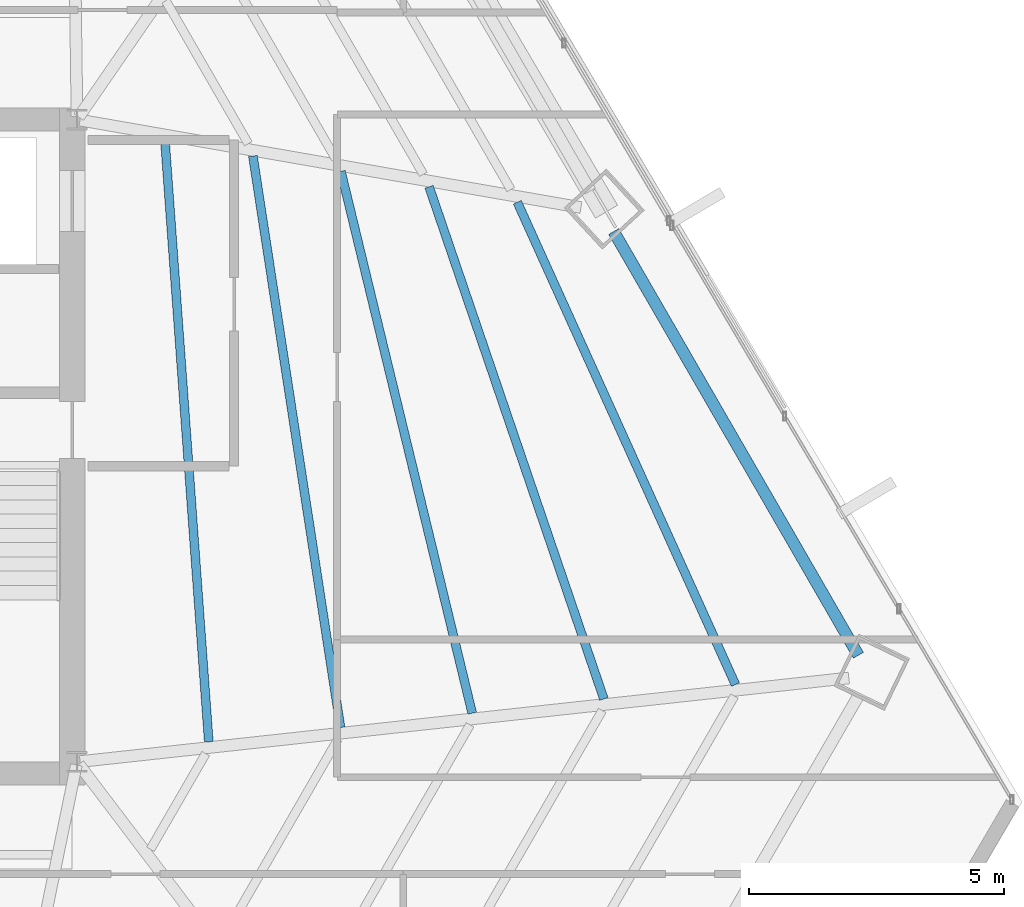
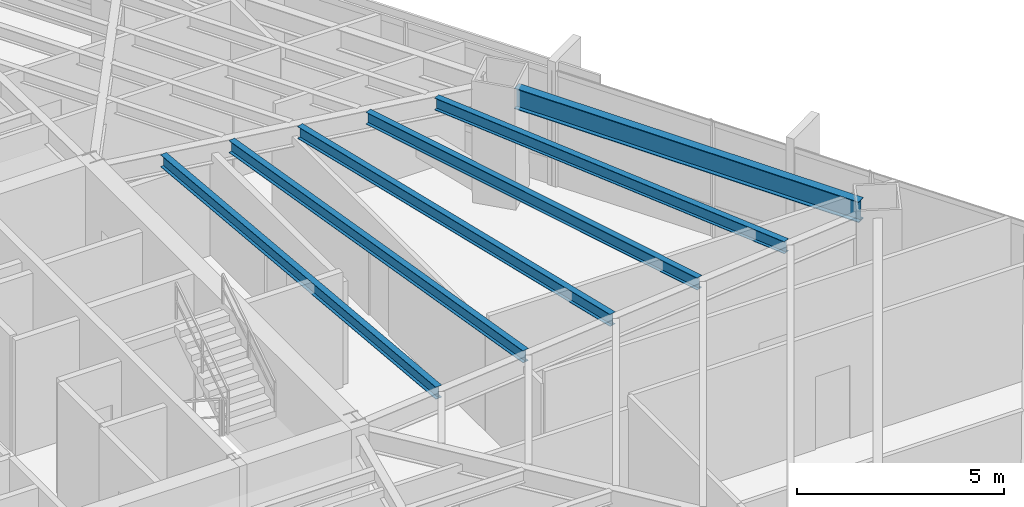
# One storey, part 19 of 35: 6 beams.
"""IFC4 building model written with IfcOpenShell, lengths in metres."""

from ifc_helpers import new_model, si_unit, direction, frame, origin, origin_2d, place, context, subcontext, project, spatial, i_section, extrude, source, transform, mapped, material, material_profile, profile_set, type_object, type_shapes, element, save


model = new_model("IFC4")

# Units and contexts
model_context = context("Model", 3, precision=1e-05, world=origin(), true_north=direction((0.0, 1.0)))
body_context = subcontext(model_context, "Body", "Model", "MODEL_VIEW")
ifc_project = project(units=[si_unit("LENGTHUNIT", "METRE"), si_unit("AREAUNIT", "SQUARE_METRE"), si_unit("VOLUMEUNIT", "CUBIC_METRE"), si_unit("PLANEANGLEUNIT", "RADIAN"), si_unit("MASSUNIT", "GRAM", prefix="KILO")], contexts=[model_context])

# Site, building, storey
site_placement = place(None, origin())
site = spatial("IfcSite", under=ifc_project, at=site_placement, CompositionType="ELEMENT")
building_placement = place(site_placement, origin())
building = spatial("IfcBuilding", under=site, at=building_placement, Name="Caelisora Broadcast Tower", CompositionType="ELEMENT")
storey_placement = place(building_placement, frame((0.0, 0.0, 109.050048828125)))
storey = spatial("IfcBuildingStorey", under=building, at=storey_placement, Name="L28", CompositionType="ELEMENT", Elevation=109.050048828125)

# Beams
ifc_material = material(Name="Steel Grade 350 (AS/NZS 3679.1)", Category="steel")
ifc_material_profile_1 = material_profile(ifc_material, i_section(OverallWidth=0.22900390625, OverallDepth=0.611572265625, WebThickness=0.011962890625, FlangeThickness=0.01953125, at=origin_2d()), Name="Steel Grade 350 (AS/NZS 3679.1)")
ifc_profile_set_1 = profile_set([ifc_material_profile_1], Name="Steel Grade 350 (AS/NZS 3679.1)")
beam_type_1 = type_object("IfcBeamType", Name="PG03", PredefinedType="BEAM", material=ifc_profile_set_1)
shared_shape_1 = source(origin(), body_context, "Body", "SweptSolid", [
    extrude(i_section(OverallWidth=0.22900390625, OverallDepth=0.611572265625, WebThickness=0.011962890625, FlangeThickness=0.01953125, at=origin_2d()), origin(), (0.0, 0.0, 1.0), 9.59912109375),
])
type_shapes(beam_type_1, [shared_shape_1])
beam_1_placement = place(storey_placement, frame((60.8271484375, 19.490966796875, 3.09423828125), z_axis=(-0.50000426018, 0.866022944154, 0.0), x_axis=(-0.866022944154, -0.50000426018, 0.0)))
element("IfcBeam", 1, at=beam_1_placement, inside=storey, type_object=beam_type_1, Name="L28 beam PG03", PredefinedType="BEAM", context=body_context, shape_type="MappedRepresentation", body=[
    mapped(shared_shape_1, transform((0.0, 0.0, 0.0), scale=1.0)),
])
ifc_material_profile_2 = material_profile(ifc_material, i_section(OverallWidth=0.172119140625, OverallDepth=0.358642578125, WebThickness=0.008056640625, FlangeThickness=0.012939453125, at=origin_2d()), Name="Steel Grade 350 (AS/NZS 3679.1)")
ifc_profile_set_2 = profile_set([ifc_material_profile_2], Name="Steel Grade 350 (AS/NZS 3679.1)")
beam_type_2 = type_object("IfcBeamType", Name="SB02", PredefinedType="JOIST", material=ifc_profile_set_2)
shared_shape_2 = source(origin(), body_context, "Body", "SweptSolid", [
    extrude(i_section(OverallWidth=0.172119140625, OverallDepth=0.358642578125, WebThickness=0.008056640625, FlangeThickness=0.012939453125, at=origin_2d()), origin(), (0.0, 0.0, 1.0), 11.824462890625),
])
beam_2_placement = place(storey_placement, frame((48.084716796875, 17.79296875, 3.220703125), z_axis=(-0.07273921034, 0.997350995026, 0.0), x_axis=(-0.997350995026, -0.07273921034, 0.0)))
element("IfcBeam", 2, at=beam_2_placement, inside=storey, type_object=beam_type_2, Name="L28 beam SB02", PredefinedType="JOIST", context=body_context, shape_type="MappedRepresentation", body=[
    mapped(shared_shape_2, transform((0.0, 0.0, 0.0), scale=1.0)),
])
shared_shape_3 = source(origin(), body_context, "Body", "SweptSolid", [
    extrude(i_section(OverallWidth=0.172119140625, OverallDepth=0.358642578125, WebThickness=0.008056640625, FlangeThickness=0.012939453125, at=origin_2d()), origin(), (0.0, 0.0, 1.0), 11.342041015625),
])
beam_3_placement = place(storey_placement, frame((50.6689453125, 18.073974609375, 3.220703125), z_axis=(-0.151539555881, 0.988451194042, 0.0), x_axis=(-0.988451194042, -0.151539555881, 0.0)))
element("IfcBeam", 3, at=beam_3_placement, inside=storey, type_object=beam_type_2, Name="L28 beam SB02", PredefinedType="JOIST", context=body_context, shape_type="MappedRepresentation", body=[
    mapped(shared_shape_3, transform((0.0, 0.0, 0.0), scale=1.0)),
])
shared_shape_4 = source(origin(), body_context, "Body", "SweptSolid", [
    extrude(i_section(OverallWidth=0.172119140625, OverallDepth=0.358642578125, WebThickness=0.008056640625, FlangeThickness=0.012939453125, at=origin_2d()), origin(), (0.0, 0.0, 1.0), 10.935546875),
])
beam_4_placement = place(storey_placement, frame((53.252197265625, 18.355224609375, 3.220703125), z_axis=(-0.235442835241, 0.971888198989, 0.0), x_axis=(-0.971888198989, -0.235442835241, 0.0)))
element("IfcBeam", 4, at=beam_4_placement, inside=storey, type_object=beam_type_2, Name="L28 beam SB02", PredefinedType="JOIST", context=body_context, shape_type="MappedRepresentation", body=[
    mapped(shared_shape_4, transform((0.0, 0.0, 0.0), scale=1.0)),
])
shared_shape_5 = source(origin(), body_context, "Body", "SweptSolid", [
    extrude(i_section(OverallWidth=0.172119140625, OverallDepth=0.358642578125, WebThickness=0.008056640625, FlangeThickness=0.012939453125, at=origin_2d()), origin(), (0.0, 0.0, 1.0), 10.6142578125),
])
beam_5_placement = place(storey_placement, frame((55.834716796875, 18.635986328125, 3.220703125), z_axis=(-0.323002670039, 0.946398053225, 0.0), x_axis=(-0.946398053225, -0.323002670039, 0.0)))
element("IfcBeam", 5, at=beam_5_placement, inside=storey, type_object=beam_type_2, Name="L28 beam SB02", PredefinedType="JOIST", context=body_context, shape_type="MappedRepresentation", body=[
    mapped(shared_shape_5, transform((0.0, 0.0, 0.0), scale=1.0)),
])
shared_shape_6 = source(origin(), body_context, "Body", "SweptSolid", [
    extrude(i_section(OverallWidth=0.172119140625, OverallDepth=0.358642578125, WebThickness=0.008056640625, FlangeThickness=0.012939453125, at=origin_2d()), origin(), (0.0, 0.0, 1.0), 10.384521484375),
])
type_shapes(beam_type_2, [shared_shape_2, shared_shape_3, shared_shape_4, shared_shape_5, shared_shape_6])
beam_6_placement = place(storey_placement, frame((58.416015625, 18.9169921875, 3.220703125), z_axis=(-0.412060993008, 0.911156264337, 0.0), x_axis=(-0.911156264337, -0.412060993008, 0.0)))
element("IfcBeam", 6, at=beam_6_placement, inside=storey, type_object=beam_type_2, Name="L28 beam SB02", PredefinedType="JOIST", context=body_context, shape_type="MappedRepresentation", body=[
    mapped(shared_shape_6, transform((0.0, 0.0, 0.0), scale=1.0)),
])

save(model, "model.ifc")
